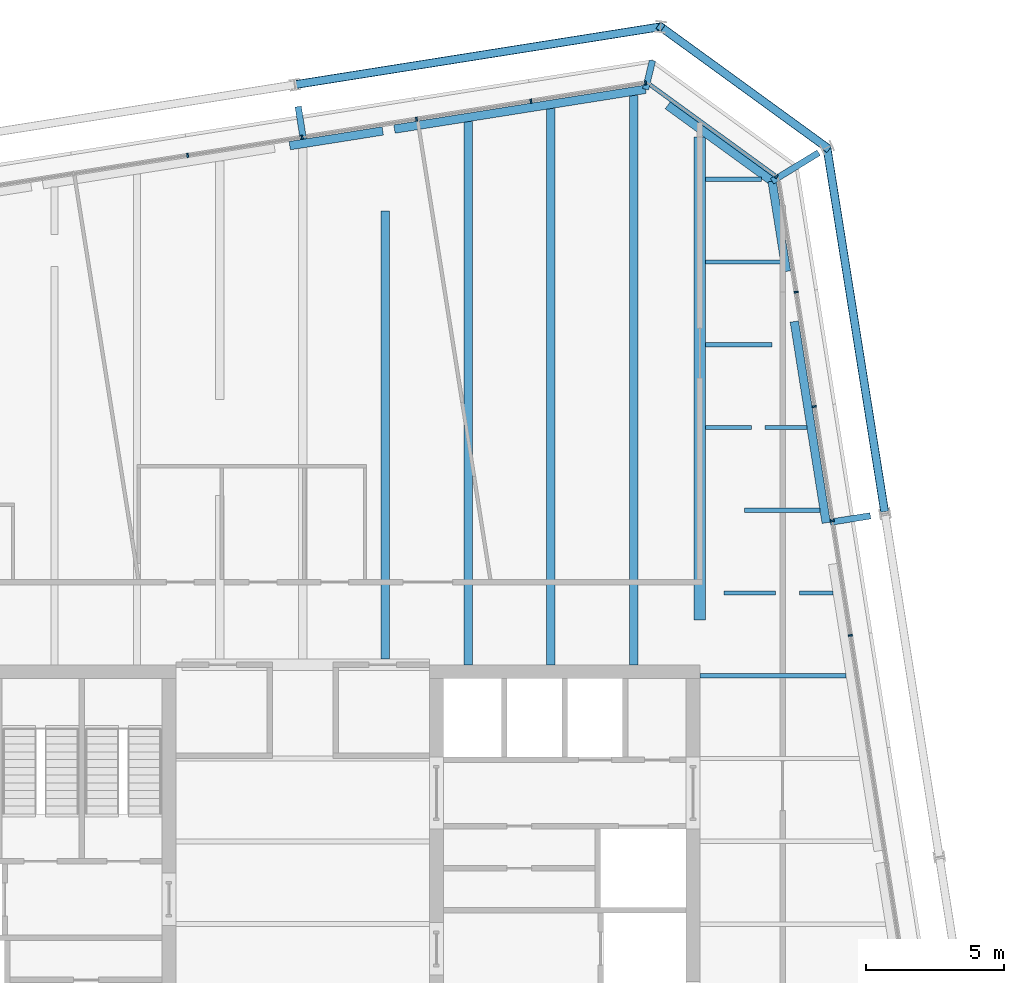
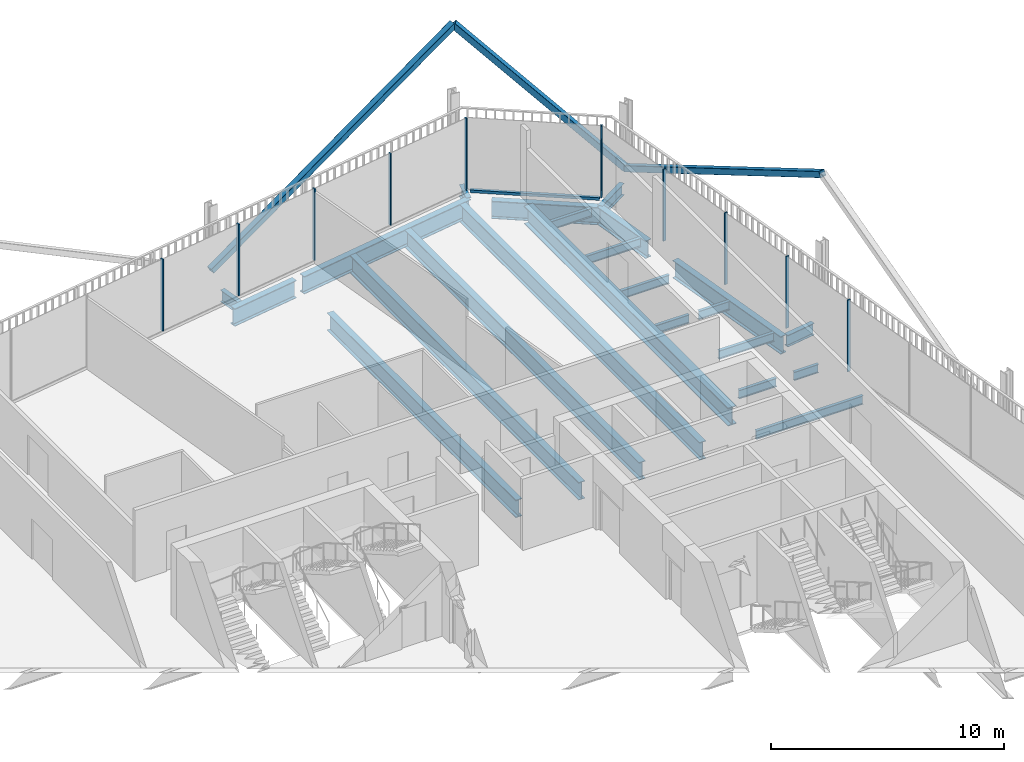
# One storey, part 14 of 20: 23 beams, 14 members, 3 elements without a shape of their own.
"""IFC4 building model written with IfcOpenShell, lengths in metres."""

import ifcopenshell
import ifcopenshell.guid

model = None  # the IFC model being written
_history = None  # IfcOwnerHistory: only IFC2X3 demands one
_inside = {}  # id of a spatial element -> (the spatial element, [elements in it])
_under = {}  # id of a project, library or spatial element -> (it, [spatial elements below it])
_declared = {}  # id of a project -> (the project, [libraries it declares])
_typed = {}  # id of a type object -> (the type object, [elements of that type])
_made_of = {}  # id of a material, layer set ... -> (it, [elements and type objects made of it])


def new_model(schema):
    """Start an empty IFC model of exactly this schema.

    Asked for "IFC4X3", IfcOpenShell would pick the latest addendum, in which some entities
    have other attributes; the version numbers below select the first issue.
    IFC2X3 requires an IfcOwnerHistory on every rooted entity: one is made here for all.
    """
    global model, _history
    if schema == "IFC4X3":
        model = ifcopenshell.file(schema_version=(4, 3, 0, 0))
    else:
        model = ifcopenshell.file(schema=schema)
    _inside.clear()
    _under.clear()
    _declared.clear()
    _typed.clear()
    _made_of.clear()
    _history = None
    if model.schema == "IFC2X3":
        org = make("IfcOrganization", Name="unknown")
        user = make(
            "IfcPersonAndOrganization",
            ThePerson=make("IfcPerson", FamilyName="unknown"),
            TheOrganization=org,
        )
        app = make(
            "IfcApplication",
            ApplicationDeveloper=org,
            Version="unknown",
            ApplicationFullName="unknown",
            ApplicationIdentifier="unknown",
        )
        _history = make(
            "IfcOwnerHistory",
            OwningUser=user,
            OwningApplication=app,
            ChangeAction="ADDED",
            CreationDate=0,
        )
    return model


def make(cls, **values):
    """One entity of the class cls with the attributes given. An attribute that is None is left unset."""
    return model.create_entity(
        cls, **{name: value for name, value in values.items() if value is not None}
    )


def rooted(cls, **values):
    """An entity with a GlobalId (a new one), such as an element, a storey or a relation."""
    return make(cls, GlobalId=ifcopenshell.guid.new(), OwnerHistory=_history, **values)


def si_unit(unit_type, name, prefix=None):
    """IfcSIUnit, for example si_unit("LENGTHUNIT", "METRE", prefix="MILLI")."""
    return make("IfcSIUnit", UnitType=unit_type, Prefix=prefix, Name=name)


def assignment(units):
    """IfcUnitAssignment: the units of a project."""
    return None if units is None else make("IfcUnitAssignment", Units=units)


def point(xyz):
    """IfcCartesianPoint."""
    return None if xyz is None else make("IfcCartesianPoint", Coordinates=xyz)


def direction(xyz):
    """IfcDirection."""
    return None if xyz is None else make("IfcDirection", DirectionRatios=xyz)


def frame(location, z_axis=None, x_axis=None):
    """IfcAxis2Placement3D, a coordinate frame: its origin and axes. An axis left out is left unset."""
    return make(
        "IfcAxis2Placement3D",
        Location=point(location),
        Axis=direction(z_axis),
        RefDirection=direction(x_axis),
    )


def frame_2d(location, x_axis=None):
    """IfcAxis2Placement2D, a coordinate frame in the plane: its origin and x axis."""
    return make(
        "IfcAxis2Placement2D", Location=point(location), RefDirection=direction(x_axis)
    )


def origin():
    """The frame at (0, 0, 0) with its axes left unset."""
    return frame((0.0, 0.0, 0.0))


def origin_2d():
    """The frame at (0, 0) in the plane with its x axis left unset."""
    return frame_2d((0.0, 0.0))


def place(relative_to, where):
    """IfcLocalPlacement: puts the frame where relative to a parent placement (None: the world)."""
    return make(
        "IfcLocalPlacement", PlacementRelTo=relative_to, RelativePlacement=where
    )


def context(
    kind, dimensions, precision=None, world=None, true_north=None, identifier=None
):
    """IfcGeometricRepresentationContext, for example the 3D "Model" context."""
    return make(
        "IfcGeometricRepresentationContext",
        ContextIdentifier=identifier,
        ContextType=kind,
        CoordinateSpaceDimension=dimensions,
        Precision=precision,
        WorldCoordinateSystem=world,
        TrueNorth=true_north,
    )


def subcontext(parent, identifier, kind, view, scale=None):
    """IfcGeometricRepresentationSubContext, for example "Body" below "Model"."""
    return make(
        "IfcGeometricRepresentationSubContext",
        ContextIdentifier=identifier,
        ContextType=kind,
        ParentContext=parent,
        TargetScale=scale,
        TargetView=view,
    )


def project(units=None, contexts=None):
    """IfcProject with its units and contexts."""
    return rooted(
        "IfcProject",
        Name="project",
        RepresentationContexts=contexts,
        UnitsInContext=assignment(units),
    )


def spatial(cls, under=None, at=None, **own):
    """A site, building, storey or space (cls), placed at a placement, below another one or the project."""
    s = rooted(cls, ObjectPlacement=at, **own)
    if under is not None:
        _under.setdefault(under.id(), (under, []))[1].append(s)
    return s


def profile(cls, at=None, kind="AREA", **sizes):
    """A parametric profile (cls). Its sizes go by their IFC names, for example OverallWidth=200.0."""
    return make(cls, ProfileType=kind, Position=at, **sizes)


def rectangle(**sizes):
    """IfcRectangleProfileDef."""
    return profile("IfcRectangleProfileDef", **sizes)


def hollow_rectangle(**sizes):
    """IfcRectangleHollowProfileDef."""
    return profile("IfcRectangleHollowProfileDef", **sizes)


def i_section(**sizes):
    """IfcIShapeProfileDef."""
    return profile("IfcIShapeProfileDef", **sizes)


def extrude(swept, where, along, depth):
    """IfcExtrudedAreaSolid: the profile swept, set in the frame where, extruded along a direction by depth."""
    return make(
        "IfcExtrudedAreaSolid",
        SweptArea=swept,
        Position=where,
        ExtrudedDirection=direction(along),
        Depth=depth,
    )


def shape(context_of_items, identifier, shape_type, items):
    """IfcShapeRepresentation: the items that make up one representation, for example the "Body"."""
    return make(
        "IfcShapeRepresentation",
        ContextOfItems=context_of_items,
        RepresentationIdentifier=identifier,
        RepresentationType=shape_type,
        Items=items,
    )


def material(Name=None, Category=None):
    """IfcMaterial."""
    return make("IfcMaterial", Name=Name, Category=Category)


def layer(
    of_material, thickness, ventilated=None, Name=None, Category=None, Priority=None
):
    """IfcMaterialLayer: one layer of a wall or slab, of a material (None: an air gap)."""
    return make(
        "IfcMaterialLayer",
        Material=of_material,
        LayerThickness=thickness,
        IsVentilated=ventilated,
        Name=Name,
        Category=Category,
        Priority=Priority,
    )


def layer_set(layers, Name=None):
    """IfcMaterialLayerSet."""
    return make("IfcMaterialLayerSet", MaterialLayers=layers, LayerSetName=Name)


def material_profile(
    of_material, cross_section, Name=None, Category=None, Priority=None
):
    """IfcMaterialProfile: a cross section and its material."""
    return make(
        "IfcMaterialProfile",
        Name=Name,
        Material=of_material,
        Profile=cross_section,
        Priority=Priority,
        Category=Category,
    )


def profile_set(profiles, Name=None, composite=None):
    """IfcMaterialProfileSet."""
    return make(
        "IfcMaterialProfileSet",
        Name=Name,
        MaterialProfiles=profiles,
        CompositeProfile=composite,
    )


def made_of(thing, what):
    """Note that an element or type object is made of a material, layer set ...; save() writes the relation."""
    if what is not None:
        _made_of.setdefault(what.id(), (what, []))[1].append(thing)
    return thing


def type_object(cls, material=None, **own):
    """A type object (cls), such as IfcWallType, which elements share."""
    return made_of(rooted(cls, **own), material)


def element(
    cls,
    number,
    at=None,
    inside=None,
    cuts=None,
    type_object=None,
    material=None,
    context=None,
    identifier="Body",
    shape_type=None,
    held_by="IfcProductDefinitionShape",
    body=None,
    shapes=None,
    **own,
):
    """One element of the class cls, such as IfcWall. Its Tag is "e" and its number.

    at: its placement. inside: the storey or other place that contains it. cuts: it is an
    opening in that element (IfcRelVoidsElement). A single representation is given by context,
    identifier, shape_type and body (its items); several are given by shapes. held_by: the class
    of the entity that holds the representations. save() writes the other relations.
    """
    e = rooted(cls, Tag="e%d" % number, ObjectPlacement=at, **own)
    if body is not None:
        shapes = [shape(context, identifier, shape_type, body)]
    if shapes is not None:
        e.Representation = make(held_by, Representations=shapes)
    if inside is not None:
        _inside.setdefault(inside.id(), (inside, []))[1].append(e)
    if cuts is not None:
        rooted(
            "IfcRelVoidsElement", RelatingBuildingElement=cuts, RelatedOpeningElement=e
        )
    if type_object is not None:
        _typed.setdefault(type_object.id(), (type_object, []))[1].append(e)
    return made_of(e, material)


def aggregate(whole, parts):
    """IfcRelAggregates: a whole, such as a stair, and the parts it consists of."""
    return rooted("IfcRelAggregates", RelatingObject=whole, RelatedObjects=parts)


def save(model, path):
    """Write the relations noted so far, then the file.

    IfcRelAggregates (storeys below a building ...), IfcRelContainedInSpatialStructure (elements
    in a storey), IfcRelDefinesByType, IfcRelAssociatesMaterial and IfcRelDeclares: one each for
    every whole, place, type object, material and project.
    """
    for whole, parts in _under.values():
        aggregate(whole, parts)
    for where, things in _inside.values():
        rooted(
            "IfcRelContainedInSpatialStructure",
            RelatedElements=things,
            RelatingStructure=where,
        )
    for kind, things in _typed.values():
        rooted("IfcRelDefinesByType", RelatedObjects=things, RelatingType=kind)
    for what, things in _made_of.values():
        rooted("IfcRelAssociatesMaterial", RelatedObjects=things, RelatingMaterial=what)
    for by, libraries in _declared.values():
        rooted("IfcRelDeclares", RelatingContext=by, RelatedDefinitions=libraries)
    model.write(path)


model = new_model("IFC4")

# Units and contexts
model_context = context("Model", 3, precision=1e-05, world=origin(), true_north=direction((0.0, 1.0)))
body_context = subcontext(model_context, "Body", "Model", "MODEL_VIEW")
ifc_project = project(units=[si_unit("LENGTHUNIT", "METRE"), si_unit("AREAUNIT", "SQUARE_METRE"), si_unit("VOLUMEUNIT", "CUBIC_METRE"), si_unit("PLANEANGLEUNIT", "RADIAN"), si_unit("MASSUNIT", "GRAM", prefix="KILO")], contexts=[model_context])

# Site, building, storey
site_placement = place(None, origin())
site = spatial("IfcSite", under=ifc_project, at=site_placement, CompositionType="ELEMENT")
building_placement = place(site_placement, origin())
building = spatial("IfcBuilding", under=site, at=building_placement, Name="Millrace Tower", CompositionType="ELEMENT")
storey_placement = place(building_placement, frame((0.0, 0.0, 204.699951171875)))
storey = spatial("IfcBuildingStorey", under=building, at=storey_placement, Name="L46", CompositionType="ELEMENT", Elevation=204.699951171875)

# Curtain wall, members
ifc_material_1 = material(Name="Aluminium and glass", Category="aluminium")
ifc_layer = layer(ifc_material_1, 0.14990234375)
ifc_layer_set = layer_set([ifc_layer], Name="Aluminium and glass")
curtain_wall_type = type_object("IfcCurtainWallType", Name="CW-1 office vision curtain wall", PredefinedType="NOTDEFINED", material=ifc_layer_set)
placement = place(storey_placement, origin())
curtain_wall_1 = element("IfcCurtainWall", 1, at=placement, inside=storey, type_object=curtain_wall_type, Name="Curtain wall D-F04 L46", PredefinedType="NOTDEFINED")
ifc_material_2 = material(Name="Aluminium", Category="aluminium")
ifc_material_profile_1 = material_profile(ifc_material_2, rectangle(XDim=0.06494140625, YDim=0.14990234375, at=origin_2d()))
ifc_profile_set_1 = profile_set([ifc_material_profile_1], Name="Aluminium")
member_type_1 = type_object("IfcMemberType", Name="CW-1 office vision curtain wall mullion", PredefinedType="MULLION", material=ifc_profile_set_1)
member_1_placement = place(storey_placement, frame((19.857421875, 10.466064453125, 0.14013671875), z_axis=(0.0, 0.0, 1.0), x_axis=(-0.156434471884, 0.987688339511, 0.0)))
member_1 = element("IfcMember", 2, at=member_1_placement, type_object=member_type_1, Name="CW1 mullion D-F04.6", PredefinedType="MULLION", context=body_context, shape_type="SweptSolid", body=[
    extrude(rectangle(XDim=0.06494140625, YDim=0.14990234375, at=origin_2d()), origin(), (0.0, 0.0, 1.0), 3.760009765625),
])
member_2_placement = place(storey_placement, frame((19.2001953125, 14.6142578125, 0.14013671875), z_axis=(0.0, 0.0, 1.0), x_axis=(-0.156434471884, 0.987688339511, 0.0)))
member_2 = element("IfcMember", 3, at=member_2_placement, type_object=member_type_1, Name="CW1 mullion D-F04.7", PredefinedType="MULLION", context=body_context, shape_type="SweptSolid", body=[
    extrude(rectangle(XDim=0.06494140625, YDim=0.14990234375, at=origin_2d()), origin(), (0.0, 0.0, 1.0), 3.760009765625),
])
member_3_placement = place(storey_placement, frame((18.543212890625, 18.762451171875, 0.14013671875), z_axis=(0.0, 0.0, 1.0), x_axis=(-0.156434471884, 0.987688339511, 0.0)))
member_3 = element("IfcMember", 4, at=member_3_placement, type_object=member_type_1, Name="CW1 mullion D-F04.8", PredefinedType="MULLION", context=body_context, shape_type="SweptSolid", body=[
    extrude(rectangle(XDim=0.06494140625, YDim=0.14990234375, at=origin_2d()), origin(), (0.0, 0.0, 1.0), 3.760009765625),
])
member_4_placement = place(storey_placement, frame((17.88623046875, 22.910888671875, 0.14013671875), z_axis=(0.0, 0.0, 1.0), x_axis=(-0.156434471884, 0.987688339511, 0.0)))
member_4 = element("IfcMember", 5, at=member_4_placement, type_object=member_type_1, Name="CW1 mullion D-F04.9", PredefinedType="MULLION", context=body_context, shape_type="SweptSolid", body=[
    extrude(rectangle(XDim=0.06494140625, YDim=0.14990234375, at=origin_2d()), origin(), (0.0, 0.0, 1.0), 3.760009765625),
])
aggregate(curtain_wall_1, [member_1, member_2, member_3, member_4])

# Curtain wall, member
curtain_wall_2 = element("IfcCurtainWall", 6, at=placement, inside=storey, type_object=curtain_wall_type, Name="Curtain wall D-F05 L46", PredefinedType="NOTDEFINED")
member_5_placement = place(storey_placement, frame((17.177978515625, 27.094970703125, 0.14013671875), z_axis=(0.0, 0.0, 1.0), x_axis=(-0.809016955361, 0.587785305991, 0.0)))
member_5 = element("IfcMember", 7, at=member_5_placement, type_object=member_type_1, Name="CW1 mullion D-F05.1", PredefinedType="MULLION", context=body_context, shape_type="SweptSolid", body=[
    extrude(rectangle(XDim=0.06494140625, YDim=0.14990234375, at=origin_2d()), origin(), (0.0, 0.0, 1.0), 3.760009765625),
])

# Curtain wall, members
curtain_wall_3 = element("IfcCurtainWall", 8, at=placement, inside=storey, type_object=curtain_wall_type, Name="Curtain wall D-F06 L46", PredefinedType="NOTDEFINED")
member_6_placement = place(storey_placement, frame((12.425537109375, 30.492431640625, 0.14013671875), z_axis=(0.0, 0.0, 1.0), x_axis=(-0.987688339511, -0.156434471884, 0.0)))
member_6 = element("IfcMember", 9, at=member_6_placement, type_object=member_type_1, Name="CW1 mullion D-F06.1", PredefinedType="MULLION", context=body_context, shape_type="SweptSolid", body=[
    extrude(rectangle(XDim=0.06494140625, YDim=0.14990234375, at=origin_2d()), origin(), (0.0, 0.0, 1.0), 3.760009765625),
])
member_7_placement = place(storey_placement, frame((8.277099609375, 29.83544921875, 0.14013671875), z_axis=(0.0, 0.0, 1.0), x_axis=(-0.987688339511, -0.156434471884, 0.0)))
member_7 = element("IfcMember", 10, at=member_7_placement, type_object=member_type_1, Name="CW1 mullion D-F06.2", PredefinedType="MULLION", context=body_context, shape_type="SweptSolid", body=[
    extrude(rectangle(XDim=0.06494140625, YDim=0.14990234375, at=origin_2d()), origin(), (0.0, 0.0, 1.0), 3.760009765625),
])
member_8_placement = place(storey_placement, frame((4.12890625, 29.178466796875, 0.14013671875), z_axis=(0.0, 0.0, 1.0), x_axis=(-0.987688339511, -0.156434471884, 0.0)))
member_8 = element("IfcMember", 11, at=member_8_placement, type_object=member_type_1, Name="CW1 mullion D-F06.3", PredefinedType="MULLION", context=body_context, shape_type="SweptSolid", body=[
    extrude(rectangle(XDim=0.06494140625, YDim=0.14990234375, at=origin_2d()), origin(), (0.0, 0.0, 1.0), 3.760009765625),
])
member_9_placement = place(storey_placement, frame((-0.019287109375, 28.521240234375, 0.14013671875), z_axis=(0.0, 0.0, 1.0), x_axis=(-0.987688339511, -0.156434471884, 0.0)))
member_9 = element("IfcMember", 12, at=member_9_placement, type_object=member_type_1, Name="CW1 mullion D-F06.4", PredefinedType="MULLION", context=body_context, shape_type="SweptSolid", body=[
    extrude(rectangle(XDim=0.06494140625, YDim=0.14990234375, at=origin_2d()), origin(), (0.0, 0.0, 1.0), 3.760009765625),
])
member_10_placement = place(storey_placement, frame((-4.167724609375, 27.8642578125, 0.14013671875), z_axis=(0.0, 0.0, 1.0), x_axis=(-0.987688339511, -0.156434471884, 0.0)))
member_10 = element("IfcMember", 13, at=member_10_placement, type_object=member_type_1, Name="CW1 mullion D-F06.5", PredefinedType="MULLION", context=body_context, shape_type="SweptSolid", body=[
    extrude(rectangle(XDim=0.06494140625, YDim=0.14990234375, at=origin_2d()), origin(), (0.0, 0.0, 1.0), 3.760009765625),
])
aggregate(curtain_wall_3, [member_6, member_7, member_8, member_9, member_10])

# Member
ifc_material_3 = material(Name="Aluminium", Category="aluminium")
ifc_material_profile_2 = material_profile(ifc_material_3, rectangle(XDim=0.14990234375, YDim=0.139892578125, at=origin_2d()))
ifc_profile_set_2 = profile_set([ifc_material_profile_2], Name="Aluminium")
member_type_2 = type_object("IfcMemberType", Name="CW-1 office vision curtain wall transom", PredefinedType="USERDEFINED", material=ifc_profile_set_2)
member_11_placement = place(storey_placement, frame((17.123291015625, 27.134765625, 0.070068359375), z_axis=(-0.809018869857, 0.587782670904, 0.0), x_axis=(-0.587782670904, -0.809018869857, 0.0)))
member_11 = element("IfcMember", 14, at=member_11_placement, type_object=member_type_2, Name="CW1 transom D-F05.1", ObjectType="TRANSOM", PredefinedType="USERDEFINED", context=body_context, shape_type="SweptSolid", body=[
    extrude(rectangle(XDim=0.14990234375, YDim=0.139892578125, at=origin_2d()), origin(), (0.0, 0.0, 1.0), 5.59814453125),
])

aggregate(curtain_wall_2, [member_5, member_11])

# Members
ifc_material_4 = material(Name="Steel ASTM A500 Grade C", Category="steel")
ifc_material_profile_3 = material_profile(ifc_material_4, hollow_rectangle(XDim=0.3046875, YDim=0.3046875, WallThickness=0.0126953125, InnerFilletRadius=0.00634765625, OuterFilletRadius=0.01904296875, at=origin_2d()))
ifc_profile_set_3 = profile_set([ifc_material_profile_3], Name="Steel ASTM A500 Grade C")
member_type_3 = type_object("IfcMemberType", Name="Exoskeleton brace HSS12x12x1/2", PredefinedType="BRACE", material=ifc_profile_set_3)
member_12_placement = place(storey_placement, frame((19.006103515625, 28.146484375, 0.400146484375), z_axis=(0.138712380788, -0.87583551821, 0.462245627841), x_axis=(0.987689444837, 0.156427492975, 0.0)))
element("IfcMember", 15, at=member_12_placement, inside=storey, type_object=member_type_3, Name="BRC-D-L46-08", PredefinedType="BRACE", context=body_context, shape_type="SweptSolid", body=[
    extrude(hollow_rectangle(XDim=0.3046875, YDim=0.3046875, WallThickness=0.0126953125, InnerFilletRadius=0.00634765625, OuterFilletRadius=0.01904296875, at=origin_2d()), origin(), (0.0, 0.0, 1.0), 15.1435546875),
])
member_13_placement = place(storey_placement, frame((19.006103515625, 28.146484375, 0.400146484375), z_axis=(-0.589795997835, 0.428482435505, 0.684502361867), x_axis=(-0.587758820843, -0.809036197288, 0.0)))
element("IfcMember", 16, at=member_13_placement, inside=storey, type_object=member_type_3, Name="BRC-D-L46-09", PredefinedType="BRACE", context=body_context, shape_type="SweptSolid", body=[
    extrude(hollow_rectangle(XDim=0.3046875, YDim=0.3046875, WallThickness=0.0126953125, InnerFilletRadius=0.00634765625, OuterFilletRadius=0.01904296875, at=origin_2d()), origin(), (0.0, 0.0, 1.0), 10.226318359375),
])
member_14_placement = place(storey_placement, frame((-0.288330078125, 30.427734375, 0.400146484375), z_axis=(0.875831763156, 0.138714339442, 0.462252154868), x_axis=(-0.156430301989, 0.987688999949, 0.0)))
element("IfcMember", 17, at=member_14_placement, inside=storey, type_object=member_type_3, Name="BRC-D-L46-10", PredefinedType="BRACE", context=body_context, shape_type="SweptSolid", body=[
    extrude(hollow_rectangle(XDim=0.3046875, YDim=0.3046875, WallThickness=0.0126953125, InnerFilletRadius=0.00634765625, OuterFilletRadius=0.01904296875, at=origin_2d()), origin(), (0.0, 0.0, 1.0), 15.143310546875),
])

# Beams
ifc_material_5 = material(Name="Steel ASTM A992 Grade 50", Category="steel")
ifc_material_profile_4 = material_profile(ifc_material_5, i_section(OverallWidth=0.15234375, OverallDepth=0.449462890625, WebThickness=0.007568359375, FlangeThickness=0.0107421875, FilletRadius=0.01025390625, at=origin_2d()))
ifc_profile_set_4 = profile_set([ifc_material_profile_4], Name="Steel ASTM A992 Grade 50")
beam_type_1 = type_object("IfcBeamType", Name="Floor beam W18x35", PredefinedType="JOIST", material=ifc_profile_set_4)
beam_1_placement = place(storey_placement, frame((14.39990234375, 9.0, -0.384765625), z_axis=(1.0, 0.0, 0.0), x_axis=(0.0, 1.0, 0.0)))
element("IfcBeam", 18, at=beam_1_placement, inside=storey, type_object=beam_type_1, Name="BM-D-L46-S1-S024", PredefinedType="JOIST", context=body_context, shape_type="SweptSolid", body=[
    extrude(i_section(OverallWidth=0.15234375, OverallDepth=0.449462890625, WebThickness=0.007568359375, FlangeThickness=0.0107421875, FilletRadius=0.01025390625, at=origin_2d()), origin(), (0.0, 0.0, 1.0), 5.302490234375),
])
beam_2_placement = place(storey_placement, frame((14.609619140625, 24.0, -0.384765625), z_axis=(1.0, 0.0, 0.0), x_axis=(0.0, 1.0, 0.0)))
element("IfcBeam", 19, at=beam_2_placement, inside=storey, type_object=beam_type_1, Name="BM-D-L46-S1-S034", PredefinedType="JOIST", context=body_context, shape_type="SweptSolid", body=[
    extrude(i_section(OverallWidth=0.15234375, OverallDepth=0.449462890625, WebThickness=0.007568359375, FlangeThickness=0.0107421875, FilletRadius=0.01025390625, at=origin_2d()), origin(), (0.0, 0.0, 1.0), 2.717041015625),
])
beam_3_placement = place(storey_placement, frame((18.011474609375, 12.0, -0.384765625), z_axis=(1.0, 0.0, 0.0), x_axis=(0.0, 1.0, 0.0)))
element("IfcBeam", 20, at=beam_3_placement, inside=storey, type_object=beam_type_1, Name="BM-D-L46-S1-S026-b", PredefinedType="JOIST", context=body_context, shape_type="SweptSolid", body=[
    extrude(i_section(OverallWidth=0.15234375, OverallDepth=0.449462890625, WebThickness=0.007568359375, FlangeThickness=0.0107421875, FilletRadius=0.01025390625, at=origin_2d()), origin(), (0.0, 0.0, 1.0), 1.2158203125),
])
beam_4_placement = place(storey_placement, frame((16.016845703125, 15.0, -0.384765625), z_axis=(1.0, 0.0, 0.0), x_axis=(0.0, 1.0, 0.0)))
element("IfcBeam", 21, at=beam_4_placement, inside=storey, type_object=beam_type_1, Name="BM-D-L46-S1-S028", PredefinedType="JOIST", context=body_context, shape_type="SweptSolid", body=[
    extrude(i_section(OverallWidth=0.15234375, OverallDepth=0.449462890625, WebThickness=0.007568359375, FlangeThickness=0.0107421875, FilletRadius=0.01025390625, at=origin_2d()), origin(), (0.0, 0.0, 1.0), 2.7353515625),
])
beam_5_placement = place(storey_placement, frame((14.609619140625, 18.0, -0.384765625), z_axis=(1.0, 0.0, 0.0), x_axis=(0.0, 1.0, 0.0)))
element("IfcBeam", 22, at=beam_5_placement, inside=storey, type_object=beam_type_1, Name="BM-D-L46-S1-S030-a", PredefinedType="JOIST", context=body_context, shape_type="SweptSolid", body=[
    extrude(i_section(OverallWidth=0.15234375, OverallDepth=0.449462890625, WebThickness=0.007568359375, FlangeThickness=0.0107421875, FilletRadius=0.01025390625, at=origin_2d()), origin(), (0.0, 0.0, 1.0), 1.66259765625),
])
beam_6_placement = place(storey_placement, frame((16.75390625, 18.0, -0.384765625), z_axis=(1.0, 0.0, 0.0), x_axis=(0.0, 1.0, 0.0)))
element("IfcBeam", 23, at=beam_6_placement, inside=storey, type_object=beam_type_1, Name="BM-D-L46-S1-S030-b", PredefinedType="JOIST", context=body_context, shape_type="SweptSolid", body=[
    extrude(i_section(OverallWidth=0.15234375, OverallDepth=0.449462890625, WebThickness=0.007568359375, FlangeThickness=0.0107421875, FilletRadius=0.01025390625, at=origin_2d()), origin(), (0.0, 0.0, 1.0), 1.52294921875),
])
beam_7_placement = place(storey_placement, frame((14.609619140625, 21.0, -0.384765625), z_axis=(1.0, 0.0, 0.0), x_axis=(0.0, 1.0, 0.0)))
element("IfcBeam", 24, at=beam_7_placement, inside=storey, type_object=beam_type_1, Name="BM-D-L46-S1-S032", PredefinedType="JOIST", context=body_context, shape_type="SweptSolid", body=[
    extrude(i_section(OverallWidth=0.15234375, OverallDepth=0.449462890625, WebThickness=0.007568359375, FlangeThickness=0.0107421875, FilletRadius=0.01025390625, at=origin_2d()), origin(), (0.0, 0.0, 1.0), 2.399658203125),
])
beam_8_placement = place(storey_placement, frame((14.609619140625, 27.0, -0.384765625), z_axis=(1.0, 0.0, 0.0), x_axis=(0.0, 1.0, 0.0)))
element("IfcBeam", 25, at=beam_8_placement, inside=storey, type_object=beam_type_1, Name="BM-D-L46-S1-S035", PredefinedType="JOIST", context=body_context, shape_type="SweptSolid", body=[
    extrude(i_section(OverallWidth=0.15234375, OverallDepth=0.449462890625, WebThickness=0.007568359375, FlangeThickness=0.0107421875, FilletRadius=0.01025390625, at=origin_2d()), origin(), (0.0, 0.0, 1.0), 2.020751953125),
])
beam_9_placement = place(storey_placement, frame((15.27978515625, 12.0, -0.384765625), z_axis=(1.0, 0.0, 0.0), x_axis=(0.0, 1.0, 0.0)))
element("IfcBeam", 26, at=beam_9_placement, inside=storey, type_object=beam_type_1, Name="BM-D-L46-S1-S026-a", PredefinedType="JOIST", context=body_context, shape_type="SweptSolid", body=[
    extrude(i_section(OverallWidth=0.15234375, OverallDepth=0.449462890625, WebThickness=0.007568359375, FlangeThickness=0.0107421875, FilletRadius=0.01025390625, at=origin_2d()), origin(), (0.0, 0.0, 1.0), 1.868896484375),
])
ifc_material_6 = material(Name="Steel ASTM A992 Grade 50", Category="steel")
ifc_material_profile_5 = material_profile(ifc_material_6, i_section(OverallWidth=0.307373046875, OverallDepth=0.927001953125, WebThickness=0.01953125, FlangeThickness=0.031982421875, FilletRadius=0.01904296875, at=origin_2d()))
ifc_profile_set_5 = profile_set([ifc_material_profile_5], Name="Steel ASTM A992 Grade 50")
beam_type_2 = type_object("IfcBeamType", Name="Floor beam W36x194", PredefinedType="JOIST", material=ifc_profile_set_5)
beam_10_placement = place(storey_placement, frame((6.0, 9.39990234375, -0.62353515625), z_axis=(0.0, 1.0, 0.0), x_axis=(-1.0, 0.0, 0.0)))
element("IfcBeam", 27, at=beam_10_placement, inside=storey, type_object=beam_type_2, Name="BM-D-L46-S1-S048", PredefinedType="JOIST", context=body_context, shape_type="SweptSolid", body=[
    extrude(i_section(OverallWidth=0.307373046875, OverallDepth=0.927001953125, WebThickness=0.01953125, FlangeThickness=0.031982421875, FilletRadius=0.01904296875, at=origin_2d()), origin(), (0.0, 0.0, 1.0), 19.687744140625),
])
beam_11_placement = place(storey_placement, frame((9.0, 9.39990234375, -0.62353515625), z_axis=(0.0, 1.0, 0.0), x_axis=(-1.0, 0.0, 0.0)))
element("IfcBeam", 28, at=beam_11_placement, inside=storey, type_object=beam_type_2, Name="BM-D-L46-S1-S050", PredefinedType="JOIST", context=body_context, shape_type="SweptSolid", body=[
    extrude(i_section(OverallWidth=0.307373046875, OverallDepth=0.927001953125, WebThickness=0.01953125, FlangeThickness=0.031982421875, FilletRadius=0.01904296875, at=origin_2d()), origin(), (0.0, 0.0, 1.0), 20.162841796875),
])
beam_12_placement = place(storey_placement, frame((12.0, 9.39990234375, -0.62353515625), z_axis=(0.0, 1.0, 0.0), x_axis=(-1.0, 0.0, 0.0)))
element("IfcBeam", 29, at=beam_12_placement, inside=storey, type_object=beam_type_2, Name="BM-D-L46-S1-S052", PredefinedType="JOIST", context=body_context, shape_type="SweptSolid", body=[
    extrude(i_section(OverallWidth=0.307373046875, OverallDepth=0.927001953125, WebThickness=0.01953125, FlangeThickness=0.031982421875, FilletRadius=0.01904296875, at=origin_2d()), origin(), (0.0, 0.0, 1.0), 20.637939453125),
])
beam_13_placement = place(storey_placement, frame((3.0, 9.609619140625, -0.62353515625), z_axis=(0.0, 1.0, 0.0), x_axis=(-1.0, 0.0, 0.0)))
element("IfcBeam", 30, at=beam_13_placement, inside=storey, type_object=beam_type_2, Name="BM-D-L46-S1-S046", PredefinedType="JOIST", context=body_context, shape_type="SweptSolid", body=[
    extrude(i_section(OverallWidth=0.307373046875, OverallDepth=0.927001953125, WebThickness=0.01953125, FlangeThickness=0.031982421875, FilletRadius=0.01904296875, at=origin_2d()), origin(), (0.0, 0.0, 1.0), 16.2353515625),
])
ifc_material_7 = material(Name="Steel ASTM A992 Grade 50", Category="steel")
ifc_material_profile_6 = material_profile(ifc_material_7, i_section(OverallWidth=0.424072265625, OverallDepth=0.947509765625, WebThickness=0.02392578125, FlangeThickness=0.042724609375, FilletRadius=0.024169921875, at=origin_2d()))
ifc_profile_set_6 = profile_set([ifc_material_profile_6], Name="Steel ASTM A992 Grade 50")
beam_type_3 = type_object("IfcBeamType", Name="Girder medium span W36x302", PredefinedType="BEAM", material=ifc_profile_set_6)
beam_14_placement = place(storey_placement, frame((14.39990234375, 11.02099609375, -0.633544921875), z_axis=(0.0, 1.0, 0.0), x_axis=(-1.0, 0.0, 0.0)))
element("IfcBeam", 31, at=beam_14_placement, inside=storey, type_object=beam_type_3, Name="BM-D-L46-S1-G056", PredefinedType="BEAM", context=body_context, shape_type="SweptSolid", body=[
    extrude(i_section(OverallWidth=0.424072265625, OverallDepth=0.947509765625, WebThickness=0.02392578125, FlangeThickness=0.042724609375, FilletRadius=0.024169921875, at=origin_2d()), origin(), (0.0, 0.0, 1.0), 17.519775390625),
])
ifc_material_8 = material(Name="Steel ASTM A992 Grade 50", Category="steel")
ifc_material_profile_7 = material_profile(ifc_material_8, i_section(OverallWidth=0.23046875, OverallDepth=0.6171875, WebThickness=0.01318359375, FlangeThickness=0.022216796875, FilletRadius=0.012939453125, at=origin_2d()))
ifc_profile_set_7 = profile_set([ifc_material_profile_7], Name="Steel ASTM A992 Grade 50")
beam_type_4 = type_object("IfcBeamType", Name="Link beam W24x94", PredefinedType="BEAM", material=ifc_profile_set_7)
beam_15_placement = place(storey_placement, frame((0.0244140625, 28.452392578125, -0.468505859375), z_axis=(-0.15645486954, 0.987685108624, 0.0), x_axis=(-0.987685108624, -0.15645486954, 0.0)))
element("IfcBeam", 32, at=beam_15_placement, inside=storey, type_object=beam_type_4, Name="LNK-D-L46-S1-07", PredefinedType="BEAM", context=body_context, shape_type="SweptSolid", body=[
    extrude(i_section(OverallWidth=0.23046875, OverallDepth=0.6171875, WebThickness=0.01318359375, FlangeThickness=0.022216796875, FilletRadius=0.012939453125, at=origin_2d()), origin(), (0.0, 0.0, 1.0), 1.19677734375),
])
beam_16_placement = place(storey_placement, frame((12.430419921875, 30.26171875, -0.468505859375), z_axis=(0.233544797284, 0.972346043167, 0.0), x_axis=(-0.972346043167, 0.233544797284, 0.0)))
element("IfcBeam", 33, at=beam_16_placement, inside=storey, type_object=beam_type_4, Name="LNK-D-L46-S1-08", PredefinedType="BEAM", context=body_context, shape_type="SweptSolid", body=[
    extrude(i_section(OverallWidth=0.23046875, OverallDepth=0.6171875, WebThickness=0.01318359375, FlangeThickness=0.022216796875, FilletRadius=0.012939453125, at=origin_2d()), origin(), (0.0, 0.0, 1.0), 1.07470703125),
])
beam_17_placement = place(storey_placement, frame((17.018310546875, 26.928466796875, -0.468505859375), z_axis=(0.852673988549, 0.522443364636, 0.0), x_axis=(-0.522443364636, 0.852673988549, 0.0)))
element("IfcBeam", 34, at=beam_17_placement, inside=storey, type_object=beam_type_4, Name="LNK-D-L46-S1-09", PredefinedType="BEAM", context=body_context, shape_type="SweptSolid", body=[
    extrude(i_section(OverallWidth=0.23046875, OverallDepth=0.6171875, WebThickness=0.01318359375, FlangeThickness=0.022216796875, FilletRadius=0.012939453125, at=origin_2d()), origin(), (0.0, 0.0, 1.0), 1.9775390625),
])
beam_18_placement = place(storey_placement, frame((19.13134765625, 14.5703125, -0.468505859375), z_axis=(0.987666994703, 0.156569178237, 0.0), x_axis=(-0.156569178237, 0.987666994703, 0.0)))
element("IfcBeam", 35, at=beam_18_placement, inside=storey, type_object=beam_type_4, Name="LNK-D-L46-S1-10", PredefinedType="BEAM", context=body_context, shape_type="SweptSolid", body=[
    extrude(i_section(OverallWidth=0.23046875, OverallDepth=0.6171875, WebThickness=0.01318359375, FlangeThickness=0.022216796875, FilletRadius=0.012939453125, at=origin_2d()), origin(), (0.0, 0.0, 1.0), 1.46728515625),
])
ifc_material_9 = material(Name="Steel ASTM A992 Grade 50", Category="steel")
ifc_material_profile_8 = material_profile(ifc_material_9, i_section(OverallWidth=0.307373046875, OverallDepth=0.927001953125, WebThickness=0.01953125, FlangeThickness=0.031982421875, FilletRadius=0.01904296875, at=origin_2d()))
ifc_profile_set_8 = profile_set([ifc_material_profile_8], Name="Steel ASTM A992 Grade 50")
beam_type_5 = type_object("IfcBeamType", Name="Ring beam short span W36x194", PredefinedType="SPANDREL", material=ifc_profile_set_8)
beam_19_placement = place(storey_placement, frame((-0.468994140625, 28.218505859375, -0.62353515625), z_axis=(0.98768343876, 0.156465410873, 0.0), x_axis=(-0.156465410873, 0.98768343876, 0.0)))
element("IfcBeam", 36, at=beam_19_placement, inside=storey, type_object=beam_type_5, Name="RNG-D-L46-S1-07-a", PredefinedType="SPANDREL", context=body_context, shape_type="SweptSolid", body=[
    extrude(i_section(OverallWidth=0.307373046875, OverallDepth=0.927001953125, WebThickness=0.01953125, FlangeThickness=0.031982421875, FilletRadius=0.01904296875, at=origin_2d()), origin(), (0.0, 0.0, 1.0), 3.41552734375),
])
beam_20_placement = place(storey_placement, frame((3.32666015625, 28.81982421875, -0.62353515625), z_axis=(0.987688329935, 0.156434532345, 0.0), x_axis=(-0.156434532345, 0.987688329935, 0.0)))
element("IfcBeam", 37, at=beam_20_placement, inside=storey, type_object=beam_type_5, Name="RNG-D-L46-S1-07-b", PredefinedType="SPANDREL", context=body_context, shape_type="SweptSolid", body=[
    extrude(i_section(OverallWidth=0.307373046875, OverallDepth=0.927001953125, WebThickness=0.01953125, FlangeThickness=0.031982421875, FilletRadius=0.01904296875, at=origin_2d()), origin(), (0.0, 0.0, 1.0), 9.21728515625),
])
beam_21_placement = place(storey_placement, frame((17.018310546875, 26.928466796875, -0.62353515625), z_axis=(0.156488938068, -0.987679711375, 0.0), x_axis=(0.987679711375, 0.156488938068, 0.0)))
element("IfcBeam", 38, at=beam_21_placement, inside=storey, type_object=beam_type_5, Name="RNG-D-L46-S1-09-a", PredefinedType="SPANDREL", context=body_context, shape_type="SweptSolid", body=[
    extrude(i_section(OverallWidth=0.307373046875, OverallDepth=0.927001953125, WebThickness=0.01953125, FlangeThickness=0.031982421875, FilletRadius=0.01904296875, at=origin_2d()), origin(), (0.0, 0.0, 1.0), 3.310546875),
])
beam_22_placement = place(storey_placement, frame((17.823974609375, 21.841796875, -0.62353515625), z_axis=(0.156439500085, -0.987687543109, 0.0), x_axis=(0.987687543109, 0.156439500085, 0.0)))
element("IfcBeam", 39, at=beam_22_placement, inside=storey, type_object=beam_type_5, Name="RNG-D-L46-S1-09-b", PredefinedType="SPANDREL", context=body_context, shape_type="SweptSolid", body=[
    extrude(i_section(OverallWidth=0.307373046875, OverallDepth=0.927001953125, WebThickness=0.01953125, FlangeThickness=0.031982421875, FilletRadius=0.01904296875, at=origin_2d()), origin(), (0.0, 0.0, 1.0), 7.386474609375),
])
beam_23_placement = place(storey_placement, frame((13.232177734375, 29.679443359375, -0.62353515625), z_axis=(0.808997682578, -0.587811831783, 0.0), x_axis=(0.587811831783, 0.808997682578, 0.0)))
element("IfcBeam", 40, at=beam_23_placement, inside=storey, type_object=beam_type_5, Name="RNG-D-L46-S1-08", PredefinedType="SPANDREL", context=body_context, shape_type="SweptSolid", body=[
    extrude(i_section(OverallWidth=0.307373046875, OverallDepth=0.927001953125, WebThickness=0.01953125, FlangeThickness=0.031982421875, FilletRadius=0.01904296875, at=origin_2d()), origin(), (0.0, 0.0, 1.0), 4.679931640625),
])

save(model, "model.ifc")
